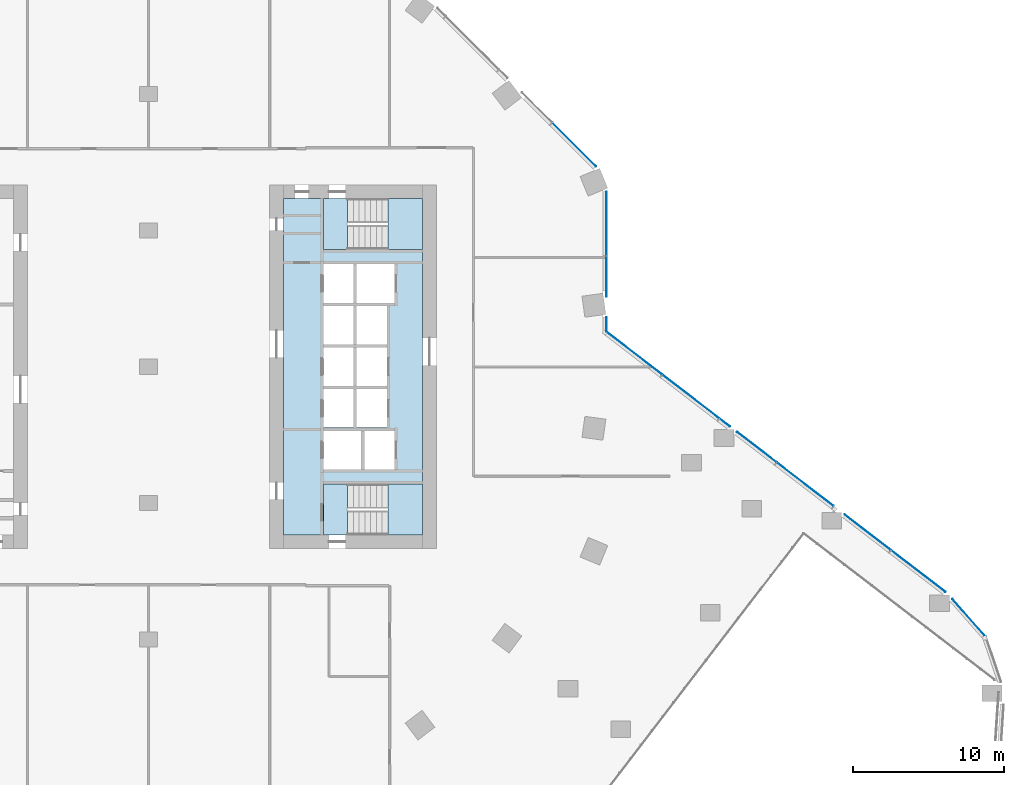
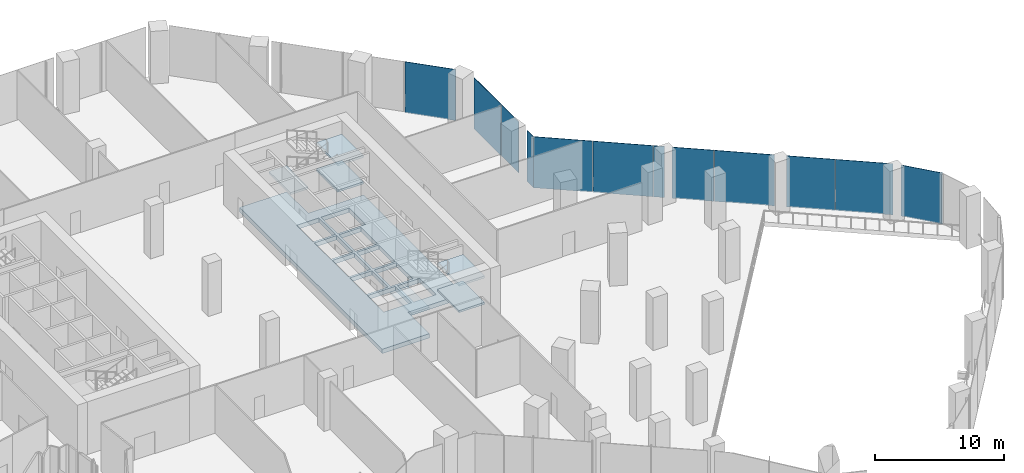
# One storey, part 19 of 29: 12 plates, 7 slabs, 6 elements without a shape of their own.
"""IFC4 building model written with IfcOpenShell, lengths in metres."""

from ifc_helpers import new_model, si_unit, direction, frame, origin, origin_2d, place, context, subcontext, project, spatial, polyline, rectangle, outline, extrude, material, layer, layer_set, type_object, element, aggregate, save


model = new_model("IFC4")

# Units and contexts
model_context = context("Model", 3, precision=1e-05, world=origin(), true_north=direction((0.0, 1.0)))
body_context = subcontext(model_context, "Body", "Model", "MODEL_VIEW")
ifc_project = project(units=[si_unit("LENGTHUNIT", "METRE"), si_unit("AREAUNIT", "SQUARE_METRE"), si_unit("VOLUMEUNIT", "CUBIC_METRE"), si_unit("PLANEANGLEUNIT", "RADIAN"), si_unit("MASSUNIT", "GRAM", prefix="KILO")], contexts=[model_context])

# Site, building, storey
site_placement = place(None, origin())
site = spatial("IfcSite", under=ifc_project, at=site_placement, CompositionType="ELEMENT")
building_placement = place(site_placement, origin())
building = spatial("IfcBuilding", under=site, at=building_placement, Name="Orlundy Tower", CompositionType="ELEMENT")
storey_placement = place(building_placement, frame((0.0, 0.0, 15.5)))
storey = spatial("IfcBuildingStorey", under=building, at=storey_placement, Name="L02", CompositionType="ELEMENT", Elevation=15.5)

# Curtain wall, plate
ifc_material_1 = material(Name="Aluminium bronze anodised", Category="aluminium")
curtain_wall_type = type_object("IfcCurtainWallType", Name="CW2 wall", PredefinedType="NOTDEFINED", material=ifc_material_1)
curtain_wall_1_placement = place(storey_placement, origin())
curtain_wall_1 = element("IfcCurtainWall", 1, at=curtain_wall_1_placement, inside=storey, type_object=curtain_wall_type, Name="CW2 run 016", PredefinedType="NOTDEFINED")
ifc_material_2 = material(Name="Tinted glass", Category="glass")
ifc_layer_1 = layer(ifc_material_2, 0.0380859375)
ifc_layer_set_1 = layer_set([ifc_layer_1], Name="CW2 glass panel 38")
plate_type_1 = type_object("IfcPlateType", Name="CW2 glass panel 38", PredefinedType="CURTAIN_PANEL", material=ifc_layer_set_1)
plate_1_placement = place(storey_placement, frame((28.10400390625, 14.648681640625, -0.25), z_axis=(0.0, 0.0, 1.0), x_axis=(0.707106781187, -0.707106781187, 0.0)))
plate_1 = element("IfcPlate", 2, at=plate_1_placement, type_object=plate_type_1, Name="CW2 panel", PredefinedType="CURTAIN_PANEL", context=body_context, shape_type="SweptSolid", body=[
    extrude(rectangle(XDim=4.066650390625, YDim=0.0380859375, at=origin_2d()), origin(), (0.0, 0.0, 1.0), 4.85009765625),
])
aggregate(curtain_wall_1, [plate_1])

# Curtain wall, plates
curtain_wall_2_placement = place(storey_placement, origin())
curtain_wall_2 = element("IfcCurtainWall", 3, at=curtain_wall_2_placement, inside=storey, type_object=curtain_wall_type, Name="CW2 run 017", PredefinedType="NOTDEFINED")
plate_2_placement = place(storey_placement, frame((30.23095703125, 9.4404296875, -0.25), z_axis=(0.0, 0.0, 1.0), x_axis=(0.0, -1.0, 0.0)))
plate_2 = element("IfcPlate", 4, at=plate_2_placement, type_object=plate_type_1, Name="CW2 panel", PredefinedType="CURTAIN_PANEL", context=body_context, shape_type="SweptSolid", body=[
    extrude(rectangle(XDim=4.215087890625, YDim=0.0380859375, at=origin_2d()), origin(), (0.0, 0.0, 1.0), 4.85009765625),
])
plate_3_placement = place(storey_placement, frame((30.23095703125, 5.951904296875, -0.25), z_axis=(0.0, 0.0, 1.0), x_axis=(0.0, -1.0, 0.0)))
plate_3 = element("IfcPlate", 5, at=plate_3_placement, type_object=plate_type_1, Name="CW2 panel", PredefinedType="CURTAIN_PANEL", context=body_context, shape_type="SweptSolid", body=[
    extrude(rectangle(XDim=2.662353515625, YDim=0.0380859375, at=origin_2d()), origin(), (0.0, 0.0, 1.0), 4.85009765625),
])
plate_4_placement = place(storey_placement, frame((30.23095703125, 2.78466796875, -0.25), z_axis=(0.0, 0.0, 1.0), x_axis=(0.0, -1.0, 0.0)))
plate_4 = element("IfcPlate", 6, at=plate_4_placement, type_object=plate_type_1, Name="CW2 panel", PredefinedType="CURTAIN_PANEL", context=body_context, shape_type="SweptSolid", body=[
    extrude(rectangle(XDim=0.961181640625, YDim=0.0380859375, at=origin_2d()), origin(), (0.0, 0.0, 1.0), 4.85009765625),
])
aggregate(curtain_wall_2, [plate_2, plate_3, plate_4])

curtain_wall_3_placement = place(storey_placement, origin())
curtain_wall_3 = element("IfcCurtainWall", 7, at=curtain_wall_3_placement, inside=storey, type_object=curtain_wall_type, Name="CW2 run 018", PredefinedType="NOTDEFINED")
plate_5_placement = place(storey_placement, frame((32.062255859375, 0.898681640625, -0.25), z_axis=(0.0, 0.0, 1.0), x_axis=(0.793340030598, -0.608778774146, 0.0)))
plate_5 = element("IfcPlate", 8, at=plate_5_placement, type_object=plate_type_1, Name="CW2 panel", PredefinedType="CURTAIN_PANEL", context=body_context, shape_type="SweptSolid", body=[
    extrude(rectangle(XDim=4.616455078125, YDim=0.0380859375, at=origin_2d()), origin(), (0.0, 0.0, 1.0), 4.85009765625),
])
plate_6_placement = place(storey_placement, frame((35.799560546875, -1.96923828125, -0.25), z_axis=(0.0, 0.0, 1.0), x_axis=(0.793340030598, -0.608778774146, 0.0)))
plate_6 = element("IfcPlate", 9, at=plate_6_placement, type_object=plate_type_1, Name="CW2 panel", PredefinedType="CURTAIN_PANEL", context=body_context, shape_type="SweptSolid", body=[
    extrude(rectangle(XDim=4.705322265625, YDim=0.0380859375, at=origin_2d()), origin(), (0.0, 0.0, 1.0), 4.85009765625),
])
plate_7_placement = place(storey_placement, frame((38.0419921875, -3.68994140625, -0.25), z_axis=(0.0, 0.0, 1.0), x_axis=(0.793340030598, -0.608778774146, 0.0)))
plate_7 = element("IfcPlate", 10, at=plate_7_placement, type_object=plate_type_1, Name="CW2 panel", PredefinedType="CURTAIN_PANEL", context=body_context, shape_type="SweptSolid", body=[
    extrude(rectangle(XDim=0.84765625, YDim=0.0380859375, at=origin_2d()), origin(), (0.0, 0.0, 1.0), 4.85009765625),
])
plate_8_placement = place(storey_placement, frame((40.139892578125, -5.2998046875, -0.25), z_axis=(0.0, 0.0, 1.0), x_axis=(0.793340030598, -0.608778774146, 0.0)))
plate_8 = element("IfcPlate", 11, at=plate_8_placement, type_object=plate_type_1, Name="CW2 panel", PredefinedType="CURTAIN_PANEL", context=body_context, shape_type="SweptSolid", body=[
    extrude(rectangle(XDim=3.2744140625, YDim=0.0380859375, at=origin_2d()), origin(), (0.0, 0.0, 1.0), 4.85009765625),
])
plate_9_placement = place(storey_placement, frame((50.814453125, -13.490966796875, -0.25), z_axis=(0.0, 0.0, 1.0), x_axis=(0.793340030598, -0.608778774146, 0.0)))
plate_9 = element("IfcPlate", 12, at=plate_9_placement, type_object=plate_type_1, Name="CW2 panel", PredefinedType="CURTAIN_PANEL", context=body_context, shape_type="SweptSolid", body=[
    extrude(rectangle(XDim=4.513916015625, YDim=0.0380859375, at=origin_2d()), origin(), (0.0, 0.0, 1.0), 4.85009765625),
])

# Curtain wall, plate
curtain_wall_4_placement = place(storey_placement, origin())
curtain_wall_4 = element("IfcCurtainWall", 13, at=curtain_wall_4_placement, inside=storey, type_object=curtain_wall_type, Name="CW2 run 019", PredefinedType="NOTDEFINED")
plate_10_placement = place(storey_placement, frame((54.176025390625, -16.585693359375, -0.25), z_axis=(0.0, 0.0, 1.0), x_axis=(0.65932547196, -0.751857647447, 0.0)))
plate_10 = element("IfcPlate", 14, at=plate_10_placement, type_object=plate_type_1, Name="CW2 panel", PredefinedType="CURTAIN_PANEL", context=body_context, shape_type="SweptSolid", body=[
    extrude(rectangle(XDim=3.36083984375, YDim=0.0380859375, at=origin_2d()), origin(), (0.0, 0.0, 1.0), 4.85009765625),
])
aggregate(curtain_wall_4, [plate_10])

# Plate
ifc_material_3 = material(Name="Bronze aluminium spandrel", Category="aluminium")
ifc_layer_2 = layer(ifc_material_3, 0.0380859375)
ifc_layer_set_2 = layer_set([ifc_layer_2], Name="CW2 spandrel panel 38")
plate_type_2 = type_object("IfcPlateType", Name="CW2 spandrel panel 38", PredefinedType="CURTAIN_PANEL", material=ifc_layer_set_2)
plate_11_placement = place(storey_placement, frame((43.344970703125, -7.75927734375, -0.25), z_axis=(0.0, 0.0, 1.0), x_axis=(0.793340030598, -0.608778774146, 0.0)))
plate_11 = element("IfcPlate", 15, at=plate_11_placement, type_object=plate_type_2, Name="CW2 panel", PredefinedType="CURTAIN_PANEL", context=body_context, shape_type="SweptSolid", body=[
    extrude(rectangle(XDim=4.705322265625, YDim=0.0380859375, at=origin_2d()), origin(), (0.0, 0.0, 1.0), 4.85009765625),
])

plate_12_placement = place(storey_placement, frame((47.468994140625, -10.923828125, -0.25), z_axis=(0.0, 0.0, 1.0), x_axis=(0.793340030598, -0.608778774146, 0.0)))
plate_12 = element("IfcPlate", 16, at=plate_12_placement, type_object=plate_type_2, Name="CW2 panel", PredefinedType="CURTAIN_PANEL", context=body_context, shape_type="SweptSolid", body=[
    extrude(rectangle(XDim=3.8193359375, YDim=0.0380859375, at=origin_2d()), origin(), (0.0, 0.0, 1.0), 4.85009765625),
])

aggregate(curtain_wall_3, [plate_5, plate_6, plate_7, plate_8, plate_11, plate_12, plate_9])

# Slab
ifc_material_4 = material(Name="Concrete C50/60", Category="concrete")
ifc_layer_3 = layer(ifc_material_4, 0.409912109375)
ifc_layer_set_3 = layer_set([ifc_layer_3], Name="Core Floor Slab 410")
slab_type_1 = type_object("IfcSlabType", Name="Core Floor Slab 410", PredefinedType="FLOOR", material=ifc_layer_set_3)
slab_1_placement = place(storey_placement, frame((0.0, 0.0, -0.409912109375)))
element("IfcSlab", 17, at=slab_1_placement, inside=storey, type_object=slab_type_1, Name="Core floor E03", PredefinedType="FLOOR", context=body_context, shape_type="SweptSolid", body=[
    extrude(outline(polyline([(8.89990234375, 11.10009765625), (13.14501953125, 11.10009765625), (13.14501953125, 7.75), (18.10009765625, 7.75), (18.10009765625, -7.75), (13.14501953125, -7.75), (13.14501953125, -11.10009765625), (8.89990234375, -11.10009765625), (8.89990234375, 11.10009765625)]), holes=[polyline([(11.5400390625, 6.77490234375), (11.5400390625, 4.22509765625), (13.5400390625, 4.22509765625), (13.5400390625, 6.77490234375), (11.5400390625, 6.77490234375)]), polyline([(16.239990234375, 6.77490234375), (13.739990234375, 6.77490234375), (13.739990234375, 4.22509765625), (16.239990234375, 4.22509765625), (16.239990234375, 6.77490234375)]), polyline([(13.5400390625, 1.47509765625), (13.5400390625, 4.02490234375), (11.5400390625, 4.02490234375), (11.5400390625, 1.47509765625), (13.5400390625, 1.47509765625)]), polyline([(13.739990234375, 1.47509765625), (15.739990234375, 1.47509765625), (15.739990234375, 4.02490234375), (13.739990234375, 4.02490234375), (13.739990234375, 1.47509765625)]), polyline([(11.5400390625, 1.27490234375), (11.5400390625, -1.27490234375), (13.5400390625, -1.27490234375), (13.5400390625, 1.27490234375), (11.5400390625, 1.27490234375)]), polyline([(15.739990234375, 1.27490234375), (13.739990234375, 1.27490234375), (13.739990234375, -1.27490234375), (15.739990234375, -1.27490234375), (15.739990234375, 1.27490234375)]), polyline([(13.5400390625, -4.02490234375), (13.5400390625, -1.47509765625), (11.5400390625, -1.47509765625), (11.5400390625, -4.02490234375), (13.5400390625, -4.02490234375)]), polyline([(13.739990234375, -4.02490234375), (15.739990234375, -4.02490234375), (15.739990234375, -1.47509765625), (13.739990234375, -1.47509765625), (13.739990234375, -4.02490234375)]), polyline([(11.5400390625, -4.22509765625), (11.5400390625, -6.77490234375), (14.0400390625, -6.77490234375), (14.0400390625, -4.22509765625), (11.5400390625, -4.22509765625)]), polyline([(16.239990234375, -4.22509765625), (14.239990234375, -4.22509765625), (14.239990234375, -6.77490234375), (16.239990234375, -6.77490234375), (16.239990234375, -4.22509765625)])]), origin(), (0.0, 0.0, 1.0), 0.409912109375),
])

# Stair, slabs
ifc_material_5 = material(Name="Concrete C50/60", Category="concrete")
stair_type = type_object("IfcStairType", Name="Exit Stair 32 risers", PredefinedType="HALF_TURN_STAIR", material=ifc_material_5)
stair_1_placement = place(storey_placement, origin())
stair_1 = element("IfcStair", 18, at=stair_1_placement, inside=storey, type_object=stair_type, Name="L02 Exit Stair ST-E1", PredefinedType="HALF_TURN_STAIR")
ifc_material_6 = material(Name="Concrete C50/60", Category="concrete")
ifc_layer_4 = layer(ifc_material_6, 0.199951171875)
ifc_layer_set_4 = layer_set([ifc_layer_4], Name="Exit Stair Landing")
slab_type_2 = type_object("IfcSlabType", Name="Exit Stair Landing", PredefinedType="LANDING", material=ifc_layer_set_4)
slab_2_placement = place(storey_placement, frame((0.0, 0.0, 1.050048828125)))
slab_2 = element("IfcSlab", 19, at=slab_2_placement, type_object=slab_type_2, Name="ST-E1 landing 1", PredefinedType="LANDING", context=body_context, shape_type="SweptSolid", body=[
    extrude(outline(polyline([(15.800048828125, -11.10009765625), (18.10009765625, -11.10009765625), (18.10009765625, -7.75), (15.800048828125, -7.75), (15.800048828125, -11.10009765625)])), origin(), (0.0, 0.0, 1.0), 0.199951171875),
])
slab_3_placement = place(storey_placement, frame((0.0, 0.0, 2.300048828125)))
slab_3 = element("IfcSlab", 20, at=slab_3_placement, type_object=slab_type_2, Name="ST-E1 landing 2", PredefinedType="LANDING", context=body_context, shape_type="SweptSolid", body=[
    extrude(outline(polyline([(11.5400390625, -11.10009765625), (13.139892578125, -11.10009765625), (13.139892578125, -7.75), (11.5400390625, -7.75), (11.5400390625, -11.10009765625)])), origin(), (0.0, 0.0, 1.0), 0.199951171875),
])
slab_4_placement = place(storey_placement, frame((0.0, 0.0, 3.550048828125)))
slab_4 = element("IfcSlab", 21, at=slab_4_placement, type_object=slab_type_2, Name="ST-E1 landing 3", PredefinedType="LANDING", context=body_context, shape_type="SweptSolid", body=[
    extrude(outline(polyline([(15.800048828125, -11.10009765625), (18.10009765625, -11.10009765625), (18.10009765625, -7.75), (15.800048828125, -7.75), (15.800048828125, -11.10009765625)])), origin(), (0.0, 0.0, 1.0), 0.199951171875),
])
aggregate(stair_1, [slab_2, slab_3, slab_4])

stair_2_placement = place(storey_placement, origin())
stair_2 = element("IfcStair", 22, at=stair_2_placement, inside=storey, type_object=stair_type, Name="L02 Exit Stair ST-E2", PredefinedType="HALF_TURN_STAIR")
slab_5_placement = place(storey_placement, frame((0.0, 0.0, 1.050048828125)))
slab_5 = element("IfcSlab", 23, at=slab_5_placement, type_object=slab_type_2, Name="ST-E2 landing 1", PredefinedType="LANDING", context=body_context, shape_type="SweptSolid", body=[
    extrude(outline(polyline([(15.800048828125, 7.75), (18.10009765625, 7.75), (18.10009765625, 11.10009765625), (15.800048828125, 11.10009765625), (15.800048828125, 7.75)])), origin(), (0.0, 0.0, 1.0), 0.199951171875),
])
slab_6_placement = place(storey_placement, frame((0.0, 0.0, 2.300048828125)))
slab_6 = element("IfcSlab", 24, at=slab_6_placement, type_object=slab_type_2, Name="ST-E2 landing 2", PredefinedType="LANDING", context=body_context, shape_type="SweptSolid", body=[
    extrude(outline(polyline([(11.5400390625, 7.75), (13.139892578125, 7.75), (13.139892578125, 11.10009765625), (11.5400390625, 11.10009765625), (11.5400390625, 7.75)])), origin(), (0.0, 0.0, 1.0), 0.199951171875),
])
slab_7_placement = place(storey_placement, frame((0.0, 0.0, 3.550048828125)))
slab_7 = element("IfcSlab", 25, at=slab_7_placement, type_object=slab_type_2, Name="ST-E2 landing 3", PredefinedType="LANDING", context=body_context, shape_type="SweptSolid", body=[
    extrude(outline(polyline([(15.800048828125, 7.75), (18.10009765625, 7.75), (18.10009765625, 11.10009765625), (15.800048828125, 11.10009765625), (15.800048828125, 7.75)])), origin(), (0.0, 0.0, 1.0), 0.199951171875),
])
aggregate(stair_2, [slab_5, slab_6, slab_7])

save(model, "model.ifc")
